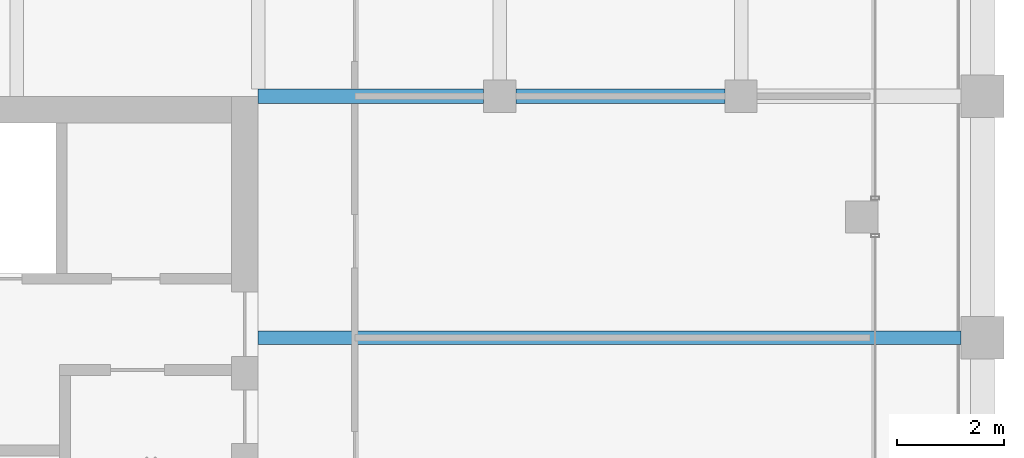
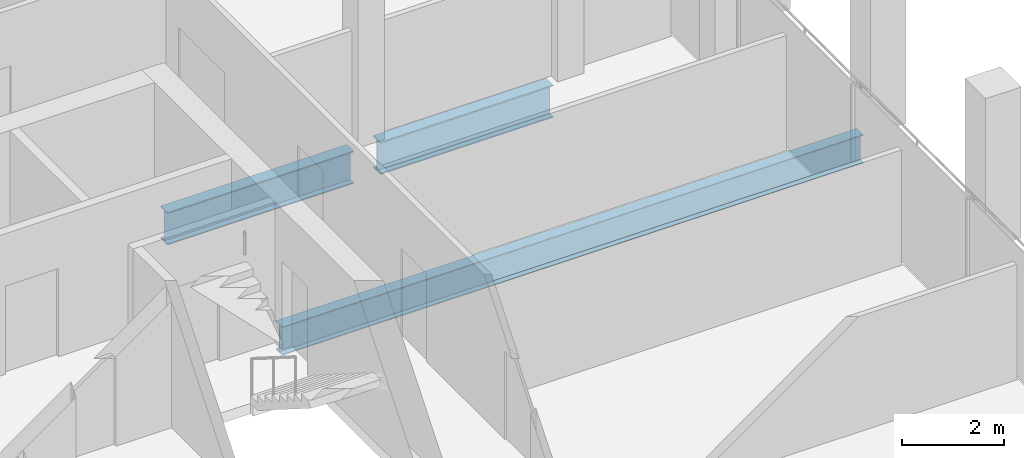
# One storey, part 18 of 30: 3 beams.
"""IFC4 building model written with IfcOpenShell, lengths in metres."""

import ifcopenshell
import ifcopenshell.guid

model = None  # the IFC model being written
_history = None  # IfcOwnerHistory: only IFC2X3 demands one
_inside = {}  # id of a spatial element -> (the spatial element, [elements in it])
_under = {}  # id of a project, library or spatial element -> (it, [spatial elements below it])
_declared = {}  # id of a project -> (the project, [libraries it declares])
_typed = {}  # id of a type object -> (the type object, [elements of that type])
_made_of = {}  # id of a material, layer set ... -> (it, [elements and type objects made of it])


def new_model(schema):
    """Start an empty IFC model of exactly this schema.

    Asked for "IFC4X3", IfcOpenShell would pick the latest addendum, in which some entities
    have other attributes; the version numbers below select the first issue.
    IFC2X3 requires an IfcOwnerHistory on every rooted entity: one is made here for all.
    """
    global model, _history
    if schema == "IFC4X3":
        model = ifcopenshell.file(schema_version=(4, 3, 0, 0))
    else:
        model = ifcopenshell.file(schema=schema)
    _inside.clear()
    _under.clear()
    _declared.clear()
    _typed.clear()
    _made_of.clear()
    _history = None
    if model.schema == "IFC2X3":
        org = make("IfcOrganization", Name="unknown")
        user = make(
            "IfcPersonAndOrganization",
            ThePerson=make("IfcPerson", FamilyName="unknown"),
            TheOrganization=org,
        )
        app = make(
            "IfcApplication",
            ApplicationDeveloper=org,
            Version="unknown",
            ApplicationFullName="unknown",
            ApplicationIdentifier="unknown",
        )
        _history = make(
            "IfcOwnerHistory",
            OwningUser=user,
            OwningApplication=app,
            ChangeAction="ADDED",
            CreationDate=0,
        )
    return model


def make(cls, **values):
    """One entity of the class cls with the attributes given. An attribute that is None is left unset."""
    return model.create_entity(
        cls, **{name: value for name, value in values.items() if value is not None}
    )


def rooted(cls, **values):
    """An entity with a GlobalId (a new one), such as an element, a storey or a relation."""
    return make(cls, GlobalId=ifcopenshell.guid.new(), OwnerHistory=_history, **values)


def si_unit(unit_type, name, prefix=None):
    """IfcSIUnit, for example si_unit("LENGTHUNIT", "METRE", prefix="MILLI")."""
    return make("IfcSIUnit", UnitType=unit_type, Prefix=prefix, Name=name)


def assignment(units):
    """IfcUnitAssignment: the units of a project."""
    return None if units is None else make("IfcUnitAssignment", Units=units)


def point(xyz):
    """IfcCartesianPoint."""
    return None if xyz is None else make("IfcCartesianPoint", Coordinates=xyz)


def direction(xyz):
    """IfcDirection."""
    return None if xyz is None else make("IfcDirection", DirectionRatios=xyz)


def frame(location, z_axis=None, x_axis=None):
    """IfcAxis2Placement3D, a coordinate frame: its origin and axes. An axis left out is left unset."""
    return make(
        "IfcAxis2Placement3D",
        Location=point(location),
        Axis=direction(z_axis),
        RefDirection=direction(x_axis),
    )


def frame_2d(location, x_axis=None):
    """IfcAxis2Placement2D, a coordinate frame in the plane: its origin and x axis."""
    return make(
        "IfcAxis2Placement2D", Location=point(location), RefDirection=direction(x_axis)
    )


def origin():
    """The frame at (0, 0, 0) with its axes left unset."""
    return frame((0.0, 0.0, 0.0))


def origin_2d():
    """The frame at (0, 0) in the plane with its x axis left unset."""
    return frame_2d((0.0, 0.0))


def place(relative_to, where):
    """IfcLocalPlacement: puts the frame where relative to a parent placement (None: the world)."""
    return make(
        "IfcLocalPlacement", PlacementRelTo=relative_to, RelativePlacement=where
    )


def context(
    kind, dimensions, precision=None, world=None, true_north=None, identifier=None
):
    """IfcGeometricRepresentationContext, for example the 3D "Model" context."""
    return make(
        "IfcGeometricRepresentationContext",
        ContextIdentifier=identifier,
        ContextType=kind,
        CoordinateSpaceDimension=dimensions,
        Precision=precision,
        WorldCoordinateSystem=world,
        TrueNorth=true_north,
    )


def subcontext(parent, identifier, kind, view, scale=None):
    """IfcGeometricRepresentationSubContext, for example "Body" below "Model"."""
    return make(
        "IfcGeometricRepresentationSubContext",
        ContextIdentifier=identifier,
        ContextType=kind,
        ParentContext=parent,
        TargetScale=scale,
        TargetView=view,
    )


def project(units=None, contexts=None):
    """IfcProject with its units and contexts."""
    return rooted(
        "IfcProject",
        Name="project",
        RepresentationContexts=contexts,
        UnitsInContext=assignment(units),
    )


def spatial(cls, under=None, at=None, **own):
    """A site, building, storey or space (cls), placed at a placement, below another one or the project."""
    s = rooted(cls, ObjectPlacement=at, **own)
    if under is not None:
        _under.setdefault(under.id(), (under, []))[1].append(s)
    return s


def profile(cls, at=None, kind="AREA", **sizes):
    """A parametric profile (cls). Its sizes go by their IFC names, for example OverallWidth=200.0."""
    return make(cls, ProfileType=kind, Position=at, **sizes)


def i_section(**sizes):
    """IfcIShapeProfileDef."""
    return profile("IfcIShapeProfileDef", **sizes)


def extrude(swept, where, along, depth):
    """IfcExtrudedAreaSolid: the profile swept, set in the frame where, extruded along a direction by depth."""
    return make(
        "IfcExtrudedAreaSolid",
        SweptArea=swept,
        Position=where,
        ExtrudedDirection=direction(along),
        Depth=depth,
    )


def shape(context_of_items, identifier, shape_type, items):
    """IfcShapeRepresentation: the items that make up one representation, for example the "Body"."""
    return make(
        "IfcShapeRepresentation",
        ContextOfItems=context_of_items,
        RepresentationIdentifier=identifier,
        RepresentationType=shape_type,
        Items=items,
    )


def material(Name=None, Category=None):
    """IfcMaterial."""
    return make("IfcMaterial", Name=Name, Category=Category)


def material_profile(
    of_material, cross_section, Name=None, Category=None, Priority=None
):
    """IfcMaterialProfile: a cross section and its material."""
    return make(
        "IfcMaterialProfile",
        Name=Name,
        Material=of_material,
        Profile=cross_section,
        Priority=Priority,
        Category=Category,
    )


def profile_set(profiles, Name=None, composite=None):
    """IfcMaterialProfileSet."""
    return make(
        "IfcMaterialProfileSet",
        Name=Name,
        MaterialProfiles=profiles,
        CompositeProfile=composite,
    )


def made_of(thing, what):
    """Note that an element or type object is made of a material, layer set ...; save() writes the relation."""
    if what is not None:
        _made_of.setdefault(what.id(), (what, []))[1].append(thing)
    return thing


def type_object(cls, material=None, **own):
    """A type object (cls), such as IfcWallType, which elements share."""
    return made_of(rooted(cls, **own), material)


def element(
    cls,
    number,
    at=None,
    inside=None,
    cuts=None,
    type_object=None,
    material=None,
    context=None,
    identifier="Body",
    shape_type=None,
    held_by="IfcProductDefinitionShape",
    body=None,
    shapes=None,
    **own,
):
    """One element of the class cls, such as IfcWall. Its Tag is "e" and its number.

    at: its placement. inside: the storey or other place that contains it. cuts: it is an
    opening in that element (IfcRelVoidsElement). A single representation is given by context,
    identifier, shape_type and body (its items); several are given by shapes. held_by: the class
    of the entity that holds the representations. save() writes the other relations.
    """
    e = rooted(cls, Tag="e%d" % number, ObjectPlacement=at, **own)
    if body is not None:
        shapes = [shape(context, identifier, shape_type, body)]
    if shapes is not None:
        e.Representation = make(held_by, Representations=shapes)
    if inside is not None:
        _inside.setdefault(inside.id(), (inside, []))[1].append(e)
    if cuts is not None:
        rooted(
            "IfcRelVoidsElement", RelatingBuildingElement=cuts, RelatedOpeningElement=e
        )
    if type_object is not None:
        _typed.setdefault(type_object.id(), (type_object, []))[1].append(e)
    return made_of(e, material)


def aggregate(whole, parts):
    """IfcRelAggregates: a whole, such as a stair, and the parts it consists of."""
    return rooted("IfcRelAggregates", RelatingObject=whole, RelatedObjects=parts)


def save(model, path):
    """Write the relations noted so far, then the file.

    IfcRelAggregates (storeys below a building ...), IfcRelContainedInSpatialStructure (elements
    in a storey), IfcRelDefinesByType, IfcRelAssociatesMaterial and IfcRelDeclares: one each for
    every whole, place, type object, material and project.
    """
    for whole, parts in _under.values():
        aggregate(whole, parts)
    for where, things in _inside.values():
        rooted(
            "IfcRelContainedInSpatialStructure",
            RelatedElements=things,
            RelatingStructure=where,
        )
    for kind, things in _typed.values():
        rooted("IfcRelDefinesByType", RelatedObjects=things, RelatingType=kind)
    for what, things in _made_of.values():
        rooted("IfcRelAssociatesMaterial", RelatedObjects=things, RelatingMaterial=what)
    for by, libraries in _declared.values():
        rooted("IfcRelDeclares", RelatingContext=by, RelatedDefinitions=libraries)
    model.write(path)


model = new_model("IFC4")

# Units and contexts
model_context = context("Model", 3, precision=1e-05, world=origin(), true_north=direction((0.0, 1.0)))
body_context = subcontext(model_context, "Body", "Model", "MODEL_VIEW")
ifc_project = project(units=[si_unit("LENGTHUNIT", "METRE"), si_unit("AREAUNIT", "SQUARE_METRE"), si_unit("VOLUMEUNIT", "CUBIC_METRE"), si_unit("PLANEANGLEUNIT", "RADIAN"), si_unit("MASSUNIT", "GRAM", prefix="KILO")], contexts=[model_context])

# Site, building, storey
site_placement = place(None, origin())
site = spatial("IfcSite", under=ifc_project, at=site_placement, CompositionType="ELEMENT")
building_placement = place(site_placement, origin())
building = spatial("IfcBuilding", under=site, at=building_placement, Name="Altepetl Exchange Towers", CompositionType="ELEMENT")
storey_placement = place(building_placement, frame((0.0, 0.0, 213.60009765625)))
storey = spatial("IfcBuildingStorey", under=building, at=storey_placement, Name="L54", CompositionType="ELEMENT", Elevation=213.60009765625)

# Beams
ifc_material = material(Name="Steel S355", Category="steel")
ifc_material_profile_1 = material_profile(ifc_material, i_section(OverallWidth=0.2529296875, OverallDepth=0.677978515625, WebThickness=0.01171875, FlangeThickness=0.016357421875, at=origin_2d()), Name="W27X84")
ifc_profile_set_1 = profile_set([ifc_material_profile_1], Name="Steel S355")
beam_type_1 = type_object("IfcBeamType", Name="Floor beam W27X84", PredefinedType="BEAM", material=ifc_profile_set_1)
beam_1_placement = place(storey_placement, frame((58.5, 54.0, -0.489013671875), z_axis=(1.0, 0.0, 0.0), x_axis=(0.0, 1.0, 0.0)))
element("IfcBeam", 1, at=beam_1_placement, inside=storey, type_object=beam_type_1, Name="bm:A:L54:011", PredefinedType="BEAM", context=body_context, shape_type="SweptSolid", body=[
    extrude(i_section(OverallWidth=0.2529296875, OverallDepth=0.677978515625, WebThickness=0.01171875, FlangeThickness=0.016357421875, at=origin_2d()), origin(), (0.0, 0.0, 1.0), 13.10009765625),
])
ifc_material_profile_2 = material_profile(ifc_material, i_section(OverallWidth=0.26806640625, OverallDepth=0.77392578125, WebThickness=0.015380859375, FlangeThickness=0.025390625, at=origin_2d()), Name="W30X132")
ifc_profile_set_2 = profile_set([ifc_material_profile_2], Name="Steel S355")
beam_type_2 = type_object("IfcBeamType", Name="Girder W30X132", PredefinedType="BEAM", material=ifc_profile_set_2)
beam_2_placement = place(storey_placement, frame((58.5, 58.5, -0.537109375), z_axis=(1.0, 0.0, 0.0), x_axis=(0.0, 1.0, 0.0)))
element("IfcBeam", 2, at=beam_2_placement, inside=storey, type_object=beam_type_2, Name="gd:A:L54:000", PredefinedType="BEAM", context=body_context, shape_type="SweptSolid", body=[
    extrude(i_section(OverallWidth=0.26806640625, OverallDepth=0.77392578125, WebThickness=0.015380859375, FlangeThickness=0.025390625, at=origin_2d()), origin(), (0.0, 0.0, 1.0), 4.199951171875),
])
beam_3_placement = place(storey_placement, frame((63.300048828125, 58.5, -0.537109375), z_axis=(1.0, 0.0, 0.0), x_axis=(0.0, 1.0, 0.0)))
element("IfcBeam", 3, at=beam_3_placement, inside=storey, type_object=beam_type_2, Name="gd:A:L54:001", PredefinedType="BEAM", context=body_context, shape_type="SweptSolid", body=[
    extrude(i_section(OverallWidth=0.26806640625, OverallDepth=0.77392578125, WebThickness=0.015380859375, FlangeThickness=0.025390625, at=origin_2d()), origin(), (0.0, 0.0, 1.0), 3.89990234375),
])

save(model, "model.ifc")
